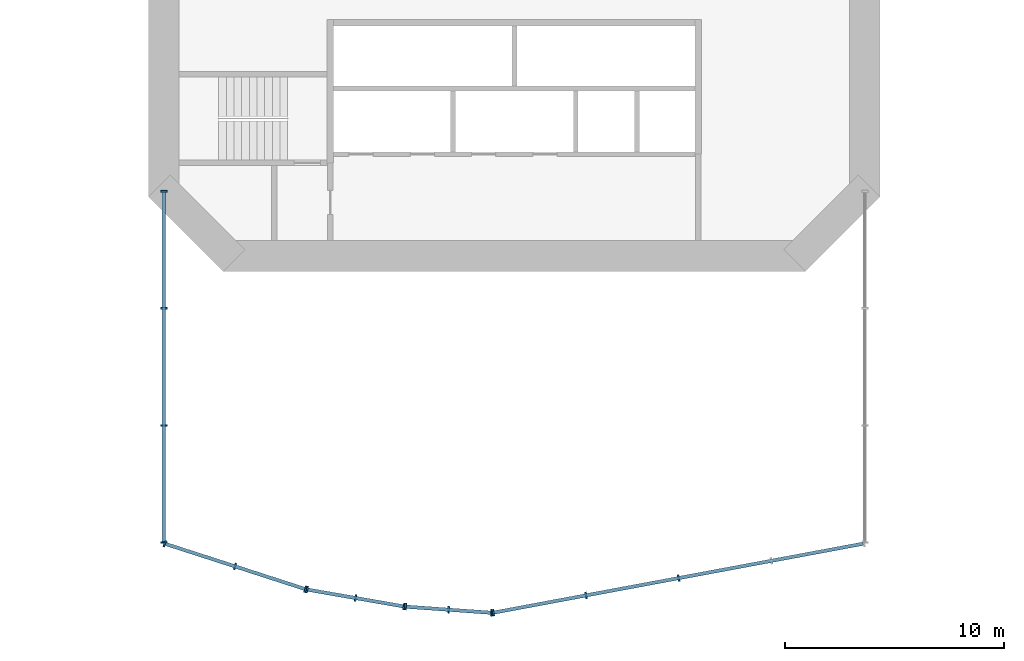
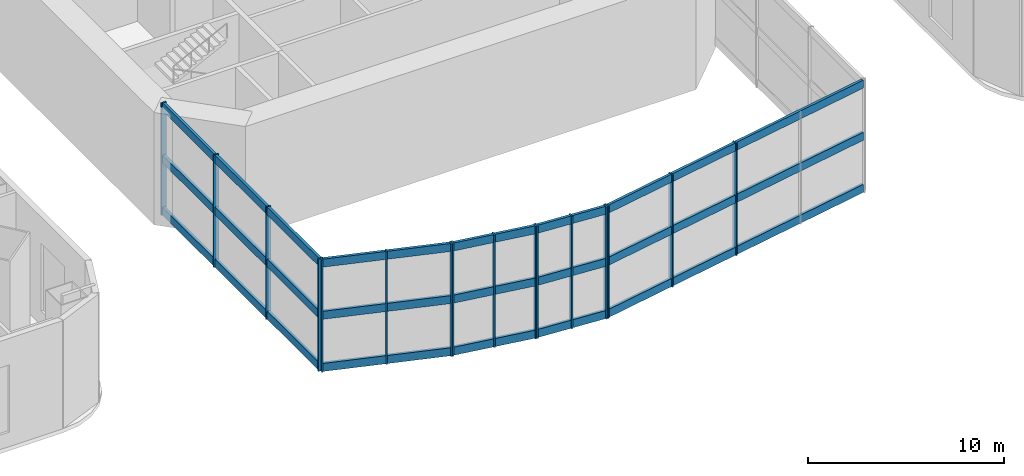
# One storey, part 2 of 19: 31 members, 5 elements without a shape of their own.
"""IFC4 building model written with IfcOpenShell, lengths in metres."""

from ifc_helpers import new_model, si_unit, direction, frame, origin, origin_2d, place, context, subcontext, project, spatial, rectangle, extrude, material, material_profile, profile_set, type_object, element, aggregate, save


model = new_model("IFC4")

# Units and contexts
model_context = context("Model", 3, precision=1e-05, world=origin(), true_north=direction((0.0, 1.0)))
body_context = subcontext(model_context, "Body", "Model", "MODEL_VIEW")
ifc_project = project(units=[si_unit("LENGTHUNIT", "METRE"), si_unit("AREAUNIT", "SQUARE_METRE"), si_unit("VOLUMEUNIT", "CUBIC_METRE"), si_unit("PLANEANGLEUNIT", "RADIAN"), si_unit("MASSUNIT", "GRAM", prefix="KILO")], contexts=[model_context])

# Site, building, storey
site_placement = place(None, origin())
site = spatial("IfcSite", under=ifc_project, at=site_placement, CompositionType="ELEMENT")
building_placement = place(site_placement, origin())
building = spatial("IfcBuilding", under=site, at=building_placement, Name="Marenthal Gate Tower", CompositionType="ELEMENT")
storey_placement = place(building_placement, frame((0.0, 0.0, 12.0)))
storey = spatial("IfcBuildingStorey", under=building, at=storey_placement, Name="L01", CompositionType="ELEMENT", Elevation=12.0)

# Curtain wall, members
ifc_material_1 = material(Name="Aluminium and glass", Category="aluminium")
curtain_wall_type = type_object("IfcCurtainWallType", Name="Curtain wall arch infill", PredefinedType="NOTDEFINED", material=ifc_material_1)
curtain_wall_1_placement = place(storey_placement, origin())
curtain_wall_1 = element("IfcCurtainWall", 1, at=curtain_wall_1_placement, inside=storey, type_object=curtain_wall_type, Name="Curtain wall L01 arch S1", PredefinedType="NOTDEFINED")
ifc_material_2 = material(Name="Aluminium", Category="aluminium")
ifc_material_profile_1 = material_profile(ifc_material_2, rectangle(XDim=0.300048828125, YDim=0.080078125, at=origin_2d()), Name="80x300 aluminium mullion")
ifc_profile_set_1 = profile_set([ifc_material_profile_1], Name="Aluminium")
member_type_1 = type_object("IfcMemberType", Name="Mullion 80x300 arch infill", PredefinedType="MULLION", material=ifc_profile_set_1)
member_1_placement = place(storey_placement, frame((-15.9619140625, -26.129638671875, 0.0), z_axis=(0.0, 0.0, 1.0), x_axis=(0.307641410292, 0.951502371344, 0.0)))
member_1 = element("IfcMember", 2, at=member_1_placement, type_object=member_type_1, Name="Mullion L01 arch S1.1", PredefinedType="MULLION", context=body_context, shape_type="SweptSolid", body=[
    extrude(rectangle(XDim=0.300048828125, YDim=0.080078125, at=origin_2d()), origin(), (0.0, 0.0, 1.0), 7.0),
])
member_2_placement = place(storey_placement, frame((-12.75, -27.168212890625, 0.0), z_axis=(0.0, 0.0, 1.0), x_axis=(0.307641410292, 0.951502371344, 0.0)))
member_2 = element("IfcMember", 3, at=member_2_placement, type_object=member_type_1, Name="Mullion L01 arch S1.2", PredefinedType="MULLION", context=body_context, shape_type="SweptSolid", body=[
    extrude(rectangle(XDim=0.300048828125, YDim=0.080078125, at=origin_2d()), origin(), (0.0, 0.0, 1.0), 7.0),
])
member_3_placement = place(storey_placement, frame((-9.5380859375, -28.206787109375, 0.0), z_axis=(0.0, 0.0, 1.0), x_axis=(0.307641410292, 0.951502371344, 0.0)))
member_3 = element("IfcMember", 4, at=member_3_placement, type_object=member_type_1, Name="Mullion L01 arch S1.3", PredefinedType="MULLION", context=body_context, shape_type="SweptSolid", body=[
    extrude(rectangle(XDim=0.300048828125, YDim=0.080078125, at=origin_2d()), origin(), (0.0, 0.0, 1.0), 7.0),
])

curtain_wall_2_placement = place(storey_placement, origin())
curtain_wall_2 = element("IfcCurtainWall", 5, at=curtain_wall_2_placement, inside=storey, type_object=curtain_wall_type, Name="Curtain wall L01 arch S2", PredefinedType="NOTDEFINED")
member_4_placement = place(storey_placement, frame((-9.460693359375, -28.225830078125, 0.0), z_axis=(0.0, 0.0, 1.0), x_axis=(0.171972780668, 0.985101701709, 0.0)))
member_4 = element("IfcMember", 6, at=member_4_placement, type_object=member_type_1, Name="Mullion L01 arch S2.1", PredefinedType="MULLION", context=body_context, shape_type="SweptSolid", body=[
    extrude(rectangle(XDim=0.300048828125, YDim=0.080078125, at=origin_2d()), origin(), (0.0, 0.0, 1.0), 7.0),
])
member_5_placement = place(storey_placement, frame((-7.25, -28.61181640625, 0.0), z_axis=(0.0, 0.0, 1.0), x_axis=(0.171972780668, 0.985101701709, 0.0)))
member_5 = element("IfcMember", 7, at=member_5_placement, type_object=member_type_1, Name="Mullion L01 arch S2.2", PredefinedType="MULLION", context=body_context, shape_type="SweptSolid", body=[
    extrude(rectangle(XDim=0.300048828125, YDim=0.080078125, at=origin_2d()), origin(), (0.0, 0.0, 1.0), 7.0),
])
member_6_placement = place(storey_placement, frame((-5.039306640625, -28.997802734375, 0.0), z_axis=(0.0, 0.0, 1.0), x_axis=(0.171972780668, 0.985101701709, 0.0)))
member_6 = element("IfcMember", 8, at=member_6_placement, type_object=member_type_1, Name="Mullion L01 arch S2.3", PredefinedType="MULLION", context=body_context, shape_type="SweptSolid", body=[
    extrude(rectangle(XDim=0.300048828125, YDim=0.080078125, at=origin_2d()), origin(), (0.0, 0.0, 1.0), 7.0),
])

curtain_wall_3_placement = place(storey_placement, origin())
curtain_wall_3 = element("IfcCurtainWall", 9, at=curtain_wall_3_placement, inside=storey, type_object=curtain_wall_type, Name="Curtain wall L01 arch S3", PredefinedType="NOTDEFINED")
member_7_placement = place(storey_placement, frame((-4.960205078125, -29.00732421875, 0.0), z_axis=(0.0, 0.0, 1.0), x_axis=(0.070734733401, 0.997495161638, 0.0)))
member_7 = element("IfcMember", 10, at=member_7_placement, type_object=member_type_1, Name="Mullion L01 arch S3.1", PredefinedType="MULLION", context=body_context, shape_type="SweptSolid", body=[
    extrude(rectangle(XDim=0.300048828125, YDim=0.080078125, at=origin_2d()), origin(), (0.0, 0.0, 1.0), 7.0),
])
member_8_placement = place(storey_placement, frame((-3.0, -29.146484375, 0.0), z_axis=(0.0, 0.0, 1.0), x_axis=(0.070734733401, 0.997495161638, 0.0)))
member_8 = element("IfcMember", 11, at=member_8_placement, type_object=member_type_1, Name="Mullion L01 arch S3.2", PredefinedType="MULLION", context=body_context, shape_type="SweptSolid", body=[
    extrude(rectangle(XDim=0.300048828125, YDim=0.080078125, at=origin_2d()), origin(), (0.0, 0.0, 1.0), 7.0),
])
member_9_placement = place(storey_placement, frame((-1.039794921875, -29.285400390625, 0.0), z_axis=(0.0, 0.0, 1.0), x_axis=(0.070734733401, 0.997495161638, 0.0)))
member_9 = element("IfcMember", 12, at=member_9_placement, type_object=member_type_1, Name="Mullion L01 arch S3.3", PredefinedType="MULLION", context=body_context, shape_type="SweptSolid", body=[
    extrude(rectangle(XDim=0.300048828125, YDim=0.080078125, at=origin_2d()), origin(), (0.0, 0.0, 1.0), 7.0),
])

curtain_wall_4_placement = place(storey_placement, origin())
curtain_wall_4 = element("IfcCurtainWall", 13, at=curtain_wall_4_placement, inside=storey, type_object=curtain_wall_type, Name="Curtain wall L01 arch S4", PredefinedType="NOTDEFINED")
member_10_placement = place(storey_placement, frame((-0.960693359375, -29.281005859375, 0.0), z_axis=(0.0, 0.0, 1.0), x_axis=(-0.183356787375, 0.983046432537, 0.0)))
member_10 = element("IfcMember", 14, at=member_10_placement, type_object=member_type_1, Name="Mullion L01 arch S4.1", PredefinedType="MULLION", context=body_context, shape_type="SweptSolid", body=[
    extrude(rectangle(XDim=0.300048828125, YDim=0.080078125, at=origin_2d()), origin(), (0.0, 0.0, 1.0), 7.0),
])
member_11_placement = place(storey_placement, frame((3.269775390625, -28.491943359375, 0.0), z_axis=(0.0, 0.0, 1.0), x_axis=(-0.183356787375, 0.983046432537, 0.0)))
member_11 = element("IfcMember", 15, at=member_11_placement, type_object=member_type_1, Name="Mullion L01 arch S4.2", PredefinedType="MULLION", context=body_context, shape_type="SweptSolid", body=[
    extrude(rectangle(XDim=0.300048828125, YDim=0.080078125, at=origin_2d()), origin(), (0.0, 0.0, 1.0), 7.0),
])
member_12_placement = place(storey_placement, frame((7.5, -27.702880859375, 0.0), z_axis=(0.0, 0.0, 1.0), x_axis=(-0.183356787375, 0.983046432537, 0.0)))
member_12 = element("IfcMember", 16, at=member_12_placement, type_object=member_type_1, Name="Mullion L01 arch S4.3", PredefinedType="MULLION", context=body_context, shape_type="SweptSolid", body=[
    extrude(rectangle(XDim=0.300048828125, YDim=0.080078125, at=origin_2d()), origin(), (0.0, 0.0, 1.0), 7.0),
])

curtain_wall_5_placement = place(storey_placement, origin())
curtain_wall_5 = element("IfcCurtainWall", 17, at=curtain_wall_5_placement, inside=storey, type_object=curtain_wall_type, Name="Curtain wall L01 hall SW1", PredefinedType="NOTDEFINED")
member_13_placement = place(storey_placement, frame((-16.0, -10.0400390625, 0.0), z_axis=(0.0, 0.0, 1.0), x_axis=(1.0, 0.0, 0.0)))
member_13 = element("IfcMember", 18, at=member_13_placement, type_object=member_type_1, Name="Mullion L01 hall SW1.1", PredefinedType="MULLION", context=body_context, shape_type="SweptSolid", body=[
    extrude(rectangle(XDim=0.300048828125, YDim=0.080078125, at=origin_2d()), origin(), (0.0, 0.0, 1.0), 7.0),
])
member_14_placement = place(storey_placement, frame((-16.0, -15.3857421875, 0.0), z_axis=(0.0, 0.0, 1.0), x_axis=(1.0, 0.0, 0.0)))
member_14 = element("IfcMember", 19, at=member_14_placement, type_object=member_type_1, Name="Mullion L01 hall SW1.2", PredefinedType="MULLION", context=body_context, shape_type="SweptSolid", body=[
    extrude(rectangle(XDim=0.300048828125, YDim=0.080078125, at=origin_2d()), origin(), (0.0, 0.0, 1.0), 7.0),
])
member_15_placement = place(storey_placement, frame((-16.0, -20.731689453125, 0.0), z_axis=(0.0, 0.0, 1.0), x_axis=(1.0, 0.0, 0.0)))
member_15 = element("IfcMember", 20, at=member_15_placement, type_object=member_type_1, Name="Mullion L01 hall SW1.3", PredefinedType="MULLION", context=body_context, shape_type="SweptSolid", body=[
    extrude(rectangle(XDim=0.300048828125, YDim=0.080078125, at=origin_2d()), origin(), (0.0, 0.0, 1.0), 7.0),
])
member_16_placement = place(storey_placement, frame((-16.0, -26.077392578125, 0.0), z_axis=(0.0, 0.0, 1.0), x_axis=(1.0, 0.0, 0.0)))
member_16 = element("IfcMember", 21, at=member_16_placement, type_object=member_type_1, Name="Mullion L01 hall SW1.4", PredefinedType="MULLION", context=body_context, shape_type="SweptSolid", body=[
    extrude(rectangle(XDim=0.300048828125, YDim=0.080078125, at=origin_2d()), origin(), (0.0, 0.0, 1.0), 7.0),
])

# Member
ifc_material_3 = material(Name="Aluminium", Category="aluminium")
ifc_material_profile_2 = material_profile(ifc_material_3, rectangle(XDim=0.159912109375, YDim=0.5, at=origin_2d()), Name="160x500 aluminium transom")
ifc_profile_set_2 = profile_set([ifc_material_profile_2], Name="Aluminium")
member_type_2 = type_object("IfcMemberType", Name="Transom 160x500 arch infill", PredefinedType="USERDEFINED", material=ifc_profile_set_2)
member_17_placement = place(storey_placement, frame((-15.923828125, -26.14208984375, 0.25), z_axis=(0.951506286254, -0.307629301625, 0.0), x_axis=(0.307629301625, 0.951506286254, 0.0)))
member_17 = element("IfcMember", 22, at=member_17_placement, type_object=member_type_2, Name="Transom L01 arch S1.1", ObjectType="TRANSOM", PredefinedType="USERDEFINED", context=body_context, shape_type="SweptSolid", body=[
    extrude(rectangle(XDim=0.159912109375, YDim=0.5, at=origin_2d()), origin(), (0.0, 0.0, 1.0), 6.671142578125),
])

member_18_placement = place(storey_placement, frame((-15.923828125, -26.14208984375, 3.5), z_axis=(0.951506286254, -0.307629301625, 0.0), x_axis=(0.307629301625, 0.951506286254, 0.0)))
member_18 = element("IfcMember", 23, at=member_18_placement, type_object=member_type_2, Name="Transom L01 arch S1.2", ObjectType="TRANSOM", PredefinedType="USERDEFINED", context=body_context, shape_type="SweptSolid", body=[
    extrude(rectangle(XDim=0.159912109375, YDim=0.5, at=origin_2d()), origin(), (0.0, 0.0, 1.0), 6.671142578125),
])

member_19_placement = place(storey_placement, frame((-15.923828125, -26.14208984375, 6.75), z_axis=(0.951506286254, -0.307629301625, 0.0), x_axis=(0.307629301625, 0.951506286254, 0.0)))
member_19 = element("IfcMember", 24, at=member_19_placement, type_object=member_type_2, Name="Transom L01 arch S1.3", ObjectType="TRANSOM", PredefinedType="USERDEFINED", context=body_context, shape_type="SweptSolid", body=[
    extrude(rectangle(XDim=0.159912109375, YDim=0.5, at=origin_2d()), origin(), (0.0, 0.0, 1.0), 6.671142578125),
])

aggregate(curtain_wall_1, [member_1, member_2, member_3, member_17, member_18, member_19])

member_20_placement = place(storey_placement, frame((-9.421142578125, -28.232666015625, 0.25), z_axis=(0.985101388271, -0.171974576104, 0.0), x_axis=(0.171974576104, 0.985101388271, 0.0)))
member_20 = element("IfcMember", 25, at=member_20_placement, type_object=member_type_2, Name="Transom L01 arch S2.1", ObjectType="TRANSOM", PredefinedType="USERDEFINED", context=body_context, shape_type="SweptSolid", body=[
    extrude(rectangle(XDim=0.159912109375, YDim=0.5, at=origin_2d()), origin(), (0.0, 0.0, 1.0), 4.407958984375),
])

member_21_placement = place(storey_placement, frame((-9.421142578125, -28.232666015625, 3.5), z_axis=(0.985101388271, -0.171974576104, 0.0), x_axis=(0.171974576104, 0.985101388271, 0.0)))
member_21 = element("IfcMember", 26, at=member_21_placement, type_object=member_type_2, Name="Transom L01 arch S2.2", ObjectType="TRANSOM", PredefinedType="USERDEFINED", context=body_context, shape_type="SweptSolid", body=[
    extrude(rectangle(XDim=0.159912109375, YDim=0.5, at=origin_2d()), origin(), (0.0, 0.0, 1.0), 4.407958984375),
])

member_22_placement = place(storey_placement, frame((-9.421142578125, -28.232666015625, 6.75), z_axis=(0.985101388271, -0.171974576104, 0.0), x_axis=(0.171974576104, 0.985101388271, 0.0)))
member_22 = element("IfcMember", 27, at=member_22_placement, type_object=member_type_2, Name="Transom L01 arch S2.3", ObjectType="TRANSOM", PredefinedType="USERDEFINED", context=body_context, shape_type="SweptSolid", body=[
    extrude(rectangle(XDim=0.159912109375, YDim=0.5, at=origin_2d()), origin(), (0.0, 0.0, 1.0), 4.407958984375),
])

aggregate(curtain_wall_2, [member_4, member_5, member_6, member_20, member_21, member_22])

member_23_placement = place(storey_placement, frame((-4.920166015625, -29.01025390625, 0.25), z_axis=(0.997497180855, -0.070706252807, 0.0), x_axis=(0.070706252807, 0.997497180855, 0.0)))
member_23 = element("IfcMember", 28, at=member_23_placement, type_object=member_type_2, Name="Transom L01 arch S3.1", ObjectType="TRANSOM", PredefinedType="USERDEFINED", context=body_context, shape_type="SweptSolid", body=[
    extrude(rectangle(XDim=0.159912109375, YDim=0.5, at=origin_2d()), origin(), (0.0, 0.0, 1.0), 3.849853515625),
])

member_24_placement = place(storey_placement, frame((-4.920166015625, -29.01025390625, 3.5), z_axis=(0.997497180855, -0.070706252807, 0.0), x_axis=(0.070706252807, 0.997497180855, 0.0)))
member_24 = element("IfcMember", 29, at=member_24_placement, type_object=member_type_2, Name="Transom L01 arch S3.2", ObjectType="TRANSOM", PredefinedType="USERDEFINED", context=body_context, shape_type="SweptSolid", body=[
    extrude(rectangle(XDim=0.159912109375, YDim=0.5, at=origin_2d()), origin(), (0.0, 0.0, 1.0), 3.849853515625),
])

member_25_placement = place(storey_placement, frame((-4.920166015625, -29.01025390625, 6.75), z_axis=(0.997497180855, -0.070706252807, 0.0), x_axis=(0.070706252807, 0.997497180855, 0.0)))
member_25 = element("IfcMember", 30, at=member_25_placement, type_object=member_type_2, Name="Transom L01 arch S3.3", ObjectType="TRANSOM", PredefinedType="USERDEFINED", context=body_context, shape_type="SweptSolid", body=[
    extrude(rectangle(XDim=0.159912109375, YDim=0.5, at=origin_2d()), origin(), (0.0, 0.0, 1.0), 3.849853515625),
])

aggregate(curtain_wall_3, [member_7, member_8, member_9, member_23, member_24, member_25])

member_26_placement = place(storey_placement, frame((-0.92138671875, -29.273681640625, 0.25), z_axis=(0.983045326162, 0.183362718981, 0.0), x_axis=(-0.183362718981, 0.983045326162, 0.0)))
member_26 = element("IfcMember", 31, at=member_26_placement, type_object=member_type_2, Name="Transom L01 arch S4.1", ObjectType="TRANSOM", PredefinedType="USERDEFINED", context=body_context, shape_type="SweptSolid", body=[
    extrude(rectangle(XDim=0.159912109375, YDim=0.5, at=origin_2d()), origin(), (0.0, 0.0, 1.0), 17.13330078125),
])

member_27_placement = place(storey_placement, frame((-0.92138671875, -29.273681640625, 3.5), z_axis=(0.983045326162, 0.183362718981, 0.0), x_axis=(-0.183362718981, 0.983045326162, 0.0)))
member_27 = element("IfcMember", 32, at=member_27_placement, type_object=member_type_2, Name="Transom L01 arch S4.2", ObjectType="TRANSOM", PredefinedType="USERDEFINED", context=body_context, shape_type="SweptSolid", body=[
    extrude(rectangle(XDim=0.159912109375, YDim=0.5, at=origin_2d()), origin(), (0.0, 0.0, 1.0), 17.13330078125),
])

member_28_placement = place(storey_placement, frame((-0.92138671875, -29.273681640625, 6.75), z_axis=(0.983045326162, 0.183362718981, 0.0), x_axis=(-0.183362718981, 0.983045326162, 0.0)))
member_28 = element("IfcMember", 33, at=member_28_placement, type_object=member_type_2, Name="Transom L01 arch S4.3", ObjectType="TRANSOM", PredefinedType="USERDEFINED", context=body_context, shape_type="SweptSolid", body=[
    extrude(rectangle(XDim=0.159912109375, YDim=0.5, at=origin_2d()), origin(), (0.0, 0.0, 1.0), 17.13330078125),
])

aggregate(curtain_wall_4, [member_10, member_11, member_12, member_26, member_27, member_28])

member_29_placement = place(storey_placement, frame((-16.0, -10.080078125, 0.25), z_axis=(0.0, -1.0, 0.0), x_axis=(1.0, 0.0, 0.0)))
member_29 = element("IfcMember", 34, at=member_29_placement, type_object=member_type_2, Name="Transom L01 hall SW1.1", ObjectType="TRANSOM", PredefinedType="USERDEFINED", context=body_context, shape_type="SweptSolid", body=[
    extrude(rectangle(XDim=0.159912109375, YDim=0.5, at=origin_2d()), origin(), (0.0, 0.0, 1.0), 15.957275390625),
])

member_30_placement = place(storey_placement, frame((-16.0, -10.080078125, 3.5), z_axis=(0.0, -1.0, 0.0), x_axis=(1.0, 0.0, 0.0)))
member_30 = element("IfcMember", 35, at=member_30_placement, type_object=member_type_2, Name="Transom L01 hall SW1.2", ObjectType="TRANSOM", PredefinedType="USERDEFINED", context=body_context, shape_type="SweptSolid", body=[
    extrude(rectangle(XDim=0.159912109375, YDim=0.5, at=origin_2d()), origin(), (0.0, 0.0, 1.0), 15.957275390625),
])

member_31_placement = place(storey_placement, frame((-16.0, -10.080078125, 6.75), z_axis=(0.0, -1.0, 0.0), x_axis=(1.0, 0.0, 0.0)))
member_31 = element("IfcMember", 36, at=member_31_placement, type_object=member_type_2, Name="Transom L01 hall SW1.3", ObjectType="TRANSOM", PredefinedType="USERDEFINED", context=body_context, shape_type="SweptSolid", body=[
    extrude(rectangle(XDim=0.159912109375, YDim=0.5, at=origin_2d()), origin(), (0.0, 0.0, 1.0), 15.957275390625),
])

aggregate(curtain_wall_5, [member_13, member_14, member_15, member_16, member_29, member_30, member_31])

save(model, "model.ifc")
